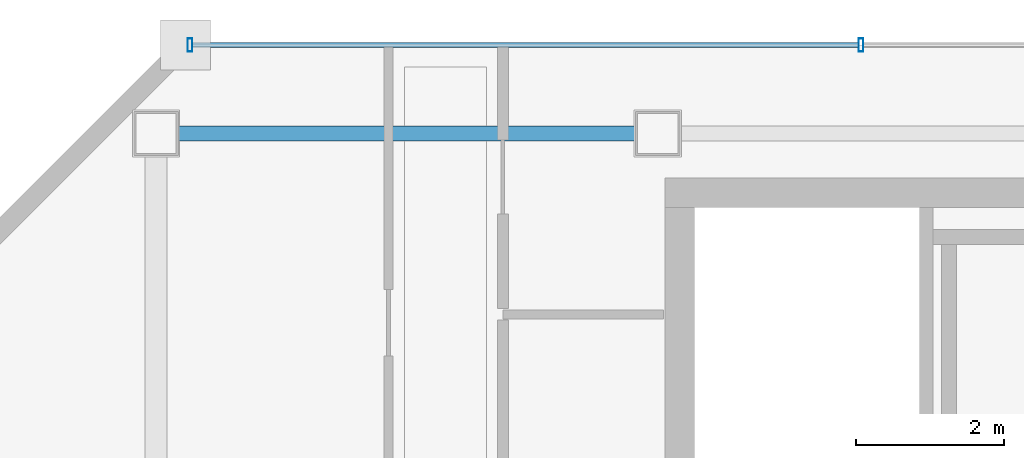
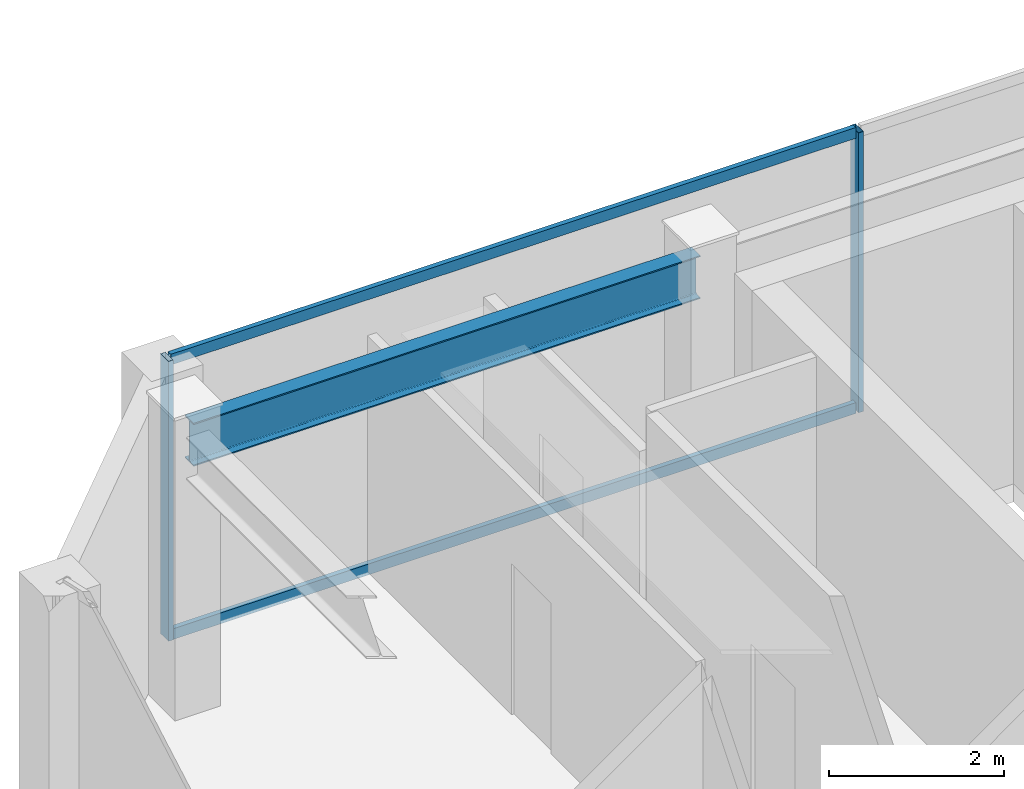
# One storey, part 6 of 17: 4 members, 1 beam, 1 element without a shape of its own.
"""IFC4 building model written with IfcOpenShell, lengths in metres."""

from ifc_helpers import new_model, si_unit, direction, frame, origin, origin_2d, place, context, subcontext, project, spatial, hollow_rectangle, i_section, extrude, material, material_profile, profile_set, type_object, element, aggregate, save


model = new_model("IFC4")

# Units and contexts
model_context = context("Model", 3, precision=1e-05, world=origin(), true_north=direction((0.0, 1.0)))
body_context = subcontext(model_context, "Body", "Model", "MODEL_VIEW")
ifc_project = project(units=[si_unit("LENGTHUNIT", "METRE"), si_unit("AREAUNIT", "SQUARE_METRE"), si_unit("VOLUMEUNIT", "CUBIC_METRE"), si_unit("PLANEANGLEUNIT", "RADIAN"), si_unit("MASSUNIT", "GRAM", prefix="KILO")], contexts=[model_context])

# Site, building, storey
site_placement = place(None, origin())
site = spatial("IfcSite", under=ifc_project, at=site_placement, CompositionType="ELEMENT")
building_placement = place(site_placement, origin())
building = spatial("IfcBuilding", under=site, at=building_placement, Name="Saevonmaru Cultural Tower", CompositionType="ELEMENT")
storey_placement = place(building_placement, frame((0.0, 0.0, 323.39990234375)))
storey = spatial("IfcBuildingStorey", under=building, at=storey_placement, Name="L77", CompositionType="ELEMENT", Elevation=323.39990234375)

# Beam
ifc_material_1 = material(Name="Steel SM355", Category="steel")
ifc_material_profile_1 = material_profile(ifc_material_1, i_section(OverallWidth=0.199951171875, OverallDepth=0.60009765625, WebThickness=0.010986328125, FlangeThickness=0.01708984375, FilletRadius=0.02197265625, at=origin_2d()), Name="H-600x200x11x17")
ifc_profile_set_1 = profile_set([ifc_material_profile_1], Name="Steel SM355")
beam_type = type_object("IfcBeamType", Name="BM-SP-H600", PredefinedType="SPANDREL", material=ifc_profile_set_1)
beam_placement = place(storey_placement, frame((6.860107421875, 54.800048828125, 3.60009765625), z_axis=(1.0, 0.0, 0.0), x_axis=(0.0, 1.0, 0.0)))
element("IfcBeam", 1, at=beam_placement, inside=storey, type_object=beam_type, Name="L77 North Spine Girder 1", PredefinedType="SPANDREL", context=body_context, shape_type="SweptSolid", body=[
    extrude(i_section(OverallWidth=0.199951171875, OverallDepth=0.60009765625, WebThickness=0.010986328125, FlangeThickness=0.01708984375, FilletRadius=0.02197265625, at=origin_2d()), origin(), (0.0, 0.0, 1.0), 6.679931640625),
])

# Curtain wall, members
ifc_material_2 = material(Name="Satin Bronze Anodised Aluminium", Category="aluminium")
curtain_wall_type = type_object("IfcCurtainWallType", Name="CW-SKY-GLZ", PredefinedType="NOTDEFINED", material=ifc_material_2)
curtain_wall_placement = place(storey_placement, origin())
curtain_wall = element("IfcCurtainWall", 2, at=curtain_wall_placement, inside=storey, type_object=curtain_wall_type, Name="L77 Unitised Curtain Wall E10", PredefinedType="NOTDEFINED")
ifc_material_profile_2 = material_profile(ifc_material_2, hollow_rectangle(XDim=0.06494140625, YDim=0.179931640625, WallThickness=0.00390625, at=origin_2d()), Name="ALU-MULL-180x65x4")
ifc_profile_set_2 = profile_set([ifc_material_profile_2], Name="Satin Bronze Anodised Aluminium")
member_type_1 = type_object("IfcMemberType", Name="ML-CW-180x65", PredefinedType="MULLION", material=ifc_profile_set_2)
member_1_placement = place(storey_placement, frame((16.35595703125, 56.0, 0.0), z_axis=(0.0, 0.0, 1.0), x_axis=(-1.0, 0.0, 0.0)))
member_1 = element("IfcMember", 3, at=member_1_placement, type_object=member_type_1, Name="CW-TW-L77-E10 mullion 5", PredefinedType="MULLION", context=body_context, shape_type="SweptSolid", body=[
    extrude(hollow_rectangle(XDim=0.06494140625, YDim=0.179931640625, WallThickness=0.00390625, at=origin_2d()), origin(), (0.0, 0.0, 1.0), 3.900146484375),
])
member_2_placement = place(storey_placement, frame((7.260009765625, 56.0, 0.0), z_axis=(0.0, 0.0, 1.0), x_axis=(-1.0, 0.0, 0.0)))
member_2 = element("IfcMember", 4, at=member_2_placement, type_object=member_type_1, Name="CW-TW-L77-E10 mullion 6", PredefinedType="MULLION", context=body_context, shape_type="SweptSolid", body=[
    extrude(hollow_rectangle(XDim=0.06494140625, YDim=0.179931640625, WallThickness=0.00390625, at=origin_2d()), origin(), (0.0, 0.0, 1.0), 3.900146484375),
])
ifc_material_profile_3 = material_profile(ifc_material_2, hollow_rectangle(XDim=0.06494140625, YDim=0.14990234375, WallThickness=0.00390625, at=origin_2d()), Name="ALU-TRAN-150x65x4")
ifc_profile_set_3 = profile_set([ifc_material_profile_3], Name="Satin Bronze Anodised Aluminium")
member_type_2 = type_object("IfcMemberType", Name="TR-CW-150x65", PredefinedType="USERDEFINED", material=ifc_profile_set_3)
member_3_placement = place(storey_placement, frame((16.323486328125, 56.0, 0.03271484375), z_axis=(-1.0, 0.0, 0.0), x_axis=(0.0, -1.0, 0.0)))
member_3 = element("IfcMember", 5, at=member_3_placement, type_object=member_type_2, Name="CW-TW-L77-E10 transom 5.1", ObjectType="TRANSOM", PredefinedType="USERDEFINED", context=body_context, shape_type="SweptSolid", body=[
    extrude(hollow_rectangle(XDim=0.06494140625, YDim=0.14990234375, WallThickness=0.00390625, at=origin_2d()), origin(), (0.0, 0.0, 1.0), 9.031005859375),
])
member_4_placement = place(storey_placement, frame((16.323486328125, 56.0, 3.86767578125), z_axis=(-1.0, 0.0, 0.0), x_axis=(0.0, -1.0, 0.0)))
member_4 = element("IfcMember", 6, at=member_4_placement, type_object=member_type_2, Name="CW-TW-L77-E10 transom 5.2", ObjectType="TRANSOM", PredefinedType="USERDEFINED", context=body_context, shape_type="SweptSolid", body=[
    extrude(hollow_rectangle(XDim=0.06494140625, YDim=0.14990234375, WallThickness=0.00390625, at=origin_2d()), origin(), (0.0, 0.0, 1.0), 9.031005859375),
])
aggregate(curtain_wall, [member_1, member_2, member_3, member_4])

save(model, "model.ifc")
